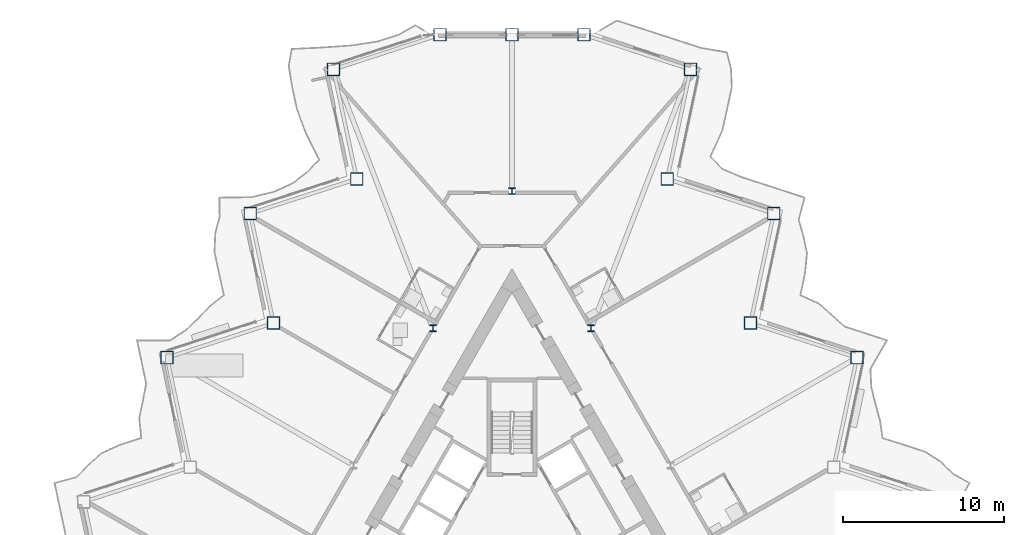
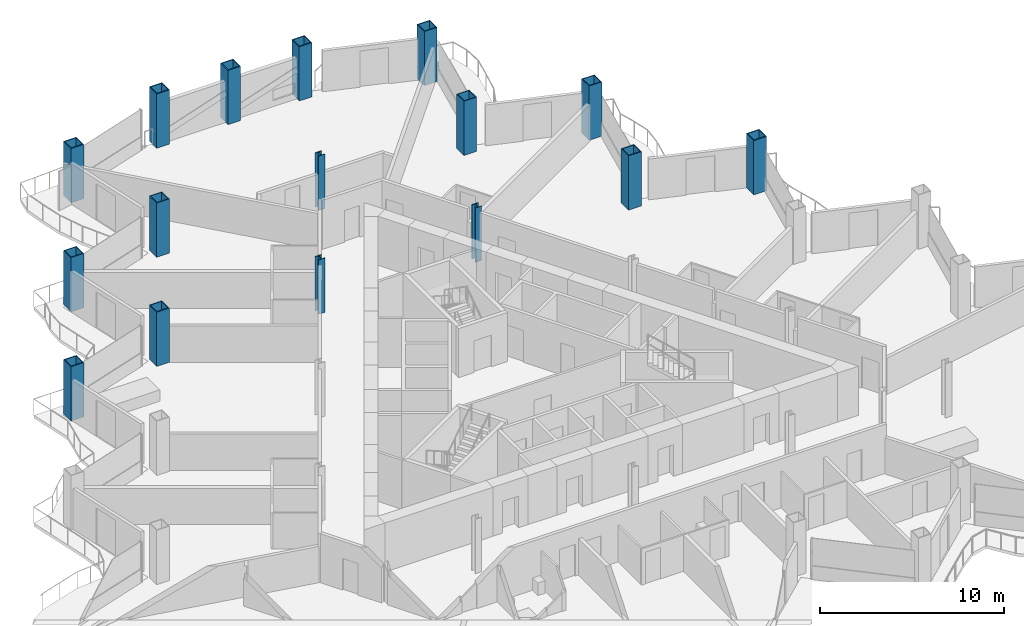
# One storey, part 2 of 23: 16 columns.
"""IFC4 building model written with IfcOpenShell, lengths in metres."""

import ifcopenshell
import ifcopenshell.guid

model = None  # the IFC model being written
_history = None  # IfcOwnerHistory: only IFC2X3 demands one
_inside = {}  # id of a spatial element -> (the spatial element, [elements in it])
_under = {}  # id of a project, library or spatial element -> (it, [spatial elements below it])
_declared = {}  # id of a project -> (the project, [libraries it declares])
_typed = {}  # id of a type object -> (the type object, [elements of that type])
_made_of = {}  # id of a material, layer set ... -> (it, [elements and type objects made of it])


def new_model(schema):
    """Start an empty IFC model of exactly this schema.

    Asked for "IFC4X3", IfcOpenShell would pick the latest addendum, in which some entities
    have other attributes; the version numbers below select the first issue.
    IFC2X3 requires an IfcOwnerHistory on every rooted entity: one is made here for all.
    """
    global model, _history
    if schema == "IFC4X3":
        model = ifcopenshell.file(schema_version=(4, 3, 0, 0))
    else:
        model = ifcopenshell.file(schema=schema)
    _inside.clear()
    _under.clear()
    _declared.clear()
    _typed.clear()
    _made_of.clear()
    _history = None
    if model.schema == "IFC2X3":
        org = make("IfcOrganization", Name="unknown")
        user = make(
            "IfcPersonAndOrganization",
            ThePerson=make("IfcPerson", FamilyName="unknown"),
            TheOrganization=org,
        )
        app = make(
            "IfcApplication",
            ApplicationDeveloper=org,
            Version="unknown",
            ApplicationFullName="unknown",
            ApplicationIdentifier="unknown",
        )
        _history = make(
            "IfcOwnerHistory",
            OwningUser=user,
            OwningApplication=app,
            ChangeAction="ADDED",
            CreationDate=0,
        )
    return model


def make(cls, **values):
    """One entity of the class cls with the attributes given. An attribute that is None is left unset."""
    return model.create_entity(
        cls, **{name: value for name, value in values.items() if value is not None}
    )


def rooted(cls, **values):
    """An entity with a GlobalId (a new one), such as an element, a storey or a relation."""
    return make(cls, GlobalId=ifcopenshell.guid.new(), OwnerHistory=_history, **values)


def si_unit(unit_type, name, prefix=None):
    """IfcSIUnit, for example si_unit("LENGTHUNIT", "METRE", prefix="MILLI")."""
    return make("IfcSIUnit", UnitType=unit_type, Prefix=prefix, Name=name)


def assignment(units):
    """IfcUnitAssignment: the units of a project."""
    return None if units is None else make("IfcUnitAssignment", Units=units)


def point(xyz):
    """IfcCartesianPoint."""
    return None if xyz is None else make("IfcCartesianPoint", Coordinates=xyz)


def direction(xyz):
    """IfcDirection."""
    return None if xyz is None else make("IfcDirection", DirectionRatios=xyz)


def frame(location, z_axis=None, x_axis=None):
    """IfcAxis2Placement3D, a coordinate frame: its origin and axes. An axis left out is left unset."""
    return make(
        "IfcAxis2Placement3D",
        Location=point(location),
        Axis=direction(z_axis),
        RefDirection=direction(x_axis),
    )


def frame_2d(location, x_axis=None):
    """IfcAxis2Placement2D, a coordinate frame in the plane: its origin and x axis."""
    return make(
        "IfcAxis2Placement2D", Location=point(location), RefDirection=direction(x_axis)
    )


def origin():
    """The frame at (0, 0, 0) with its axes left unset."""
    return frame((0.0, 0.0, 0.0))


def origin_2d():
    """The frame at (0, 0) in the plane with its x axis left unset."""
    return frame_2d((0.0, 0.0))


def place(relative_to, where):
    """IfcLocalPlacement: puts the frame where relative to a parent placement (None: the world)."""
    return make(
        "IfcLocalPlacement", PlacementRelTo=relative_to, RelativePlacement=where
    )


def context(
    kind, dimensions, precision=None, world=None, true_north=None, identifier=None
):
    """IfcGeometricRepresentationContext, for example the 3D "Model" context."""
    return make(
        "IfcGeometricRepresentationContext",
        ContextIdentifier=identifier,
        ContextType=kind,
        CoordinateSpaceDimension=dimensions,
        Precision=precision,
        WorldCoordinateSystem=world,
        TrueNorth=true_north,
    )


def subcontext(parent, identifier, kind, view, scale=None):
    """IfcGeometricRepresentationSubContext, for example "Body" below "Model"."""
    return make(
        "IfcGeometricRepresentationSubContext",
        ContextIdentifier=identifier,
        ContextType=kind,
        ParentContext=parent,
        TargetScale=scale,
        TargetView=view,
    )


def project(units=None, contexts=None):
    """IfcProject with its units and contexts."""
    return rooted(
        "IfcProject",
        Name="project",
        RepresentationContexts=contexts,
        UnitsInContext=assignment(units),
    )


def spatial(cls, under=None, at=None, **own):
    """A site, building, storey or space (cls), placed at a placement, below another one or the project."""
    s = rooted(cls, ObjectPlacement=at, **own)
    if under is not None:
        _under.setdefault(under.id(), (under, []))[1].append(s)
    return s


def profile(cls, at=None, kind="AREA", **sizes):
    """A parametric profile (cls). Its sizes go by their IFC names, for example OverallWidth=200.0."""
    return make(cls, ProfileType=kind, Position=at, **sizes)


def hollow_rectangle(**sizes):
    """IfcRectangleHollowProfileDef."""
    return profile("IfcRectangleHollowProfileDef", **sizes)


def i_section(**sizes):
    """IfcIShapeProfileDef."""
    return profile("IfcIShapeProfileDef", **sizes)


def extrude(swept, where, along, depth):
    """IfcExtrudedAreaSolid: the profile swept, set in the frame where, extruded along a direction by depth."""
    return make(
        "IfcExtrudedAreaSolid",
        SweptArea=swept,
        Position=where,
        ExtrudedDirection=direction(along),
        Depth=depth,
    )


def shape(context_of_items, identifier, shape_type, items):
    """IfcShapeRepresentation: the items that make up one representation, for example the "Body"."""
    return make(
        "IfcShapeRepresentation",
        ContextOfItems=context_of_items,
        RepresentationIdentifier=identifier,
        RepresentationType=shape_type,
        Items=items,
    )


def material(Name=None, Category=None):
    """IfcMaterial."""
    return make("IfcMaterial", Name=Name, Category=Category)


def material_profile(
    of_material, cross_section, Name=None, Category=None, Priority=None
):
    """IfcMaterialProfile: a cross section and its material."""
    return make(
        "IfcMaterialProfile",
        Name=Name,
        Material=of_material,
        Profile=cross_section,
        Priority=Priority,
        Category=Category,
    )


def profile_set(profiles, Name=None, composite=None):
    """IfcMaterialProfileSet."""
    return make(
        "IfcMaterialProfileSet",
        Name=Name,
        MaterialProfiles=profiles,
        CompositeProfile=composite,
    )


def made_of(thing, what):
    """Note that an element or type object is made of a material, layer set ...; save() writes the relation."""
    if what is not None:
        _made_of.setdefault(what.id(), (what, []))[1].append(thing)
    return thing


def type_object(cls, material=None, **own):
    """A type object (cls), such as IfcWallType, which elements share."""
    return made_of(rooted(cls, **own), material)


def element(
    cls,
    number,
    at=None,
    inside=None,
    cuts=None,
    type_object=None,
    material=None,
    context=None,
    identifier="Body",
    shape_type=None,
    held_by="IfcProductDefinitionShape",
    body=None,
    shapes=None,
    **own,
):
    """One element of the class cls, such as IfcWall. Its Tag is "e" and its number.

    at: its placement. inside: the storey or other place that contains it. cuts: it is an
    opening in that element (IfcRelVoidsElement). A single representation is given by context,
    identifier, shape_type and body (its items); several are given by shapes. held_by: the class
    of the entity that holds the representations. save() writes the other relations.
    """
    e = rooted(cls, Tag="e%d" % number, ObjectPlacement=at, **own)
    if body is not None:
        shapes = [shape(context, identifier, shape_type, body)]
    if shapes is not None:
        e.Representation = make(held_by, Representations=shapes)
    if inside is not None:
        _inside.setdefault(inside.id(), (inside, []))[1].append(e)
    if cuts is not None:
        rooted(
            "IfcRelVoidsElement", RelatingBuildingElement=cuts, RelatedOpeningElement=e
        )
    if type_object is not None:
        _typed.setdefault(type_object.id(), (type_object, []))[1].append(e)
    return made_of(e, material)


def aggregate(whole, parts):
    """IfcRelAggregates: a whole, such as a stair, and the parts it consists of."""
    return rooted("IfcRelAggregates", RelatingObject=whole, RelatedObjects=parts)


def save(model, path):
    """Write the relations noted so far, then the file.

    IfcRelAggregates (storeys below a building ...), IfcRelContainedInSpatialStructure (elements
    in a storey), IfcRelDefinesByType, IfcRelAssociatesMaterial and IfcRelDeclares: one each for
    every whole, place, type object, material and project.
    """
    for whole, parts in _under.values():
        aggregate(whole, parts)
    for where, things in _inside.values():
        rooted(
            "IfcRelContainedInSpatialStructure",
            RelatedElements=things,
            RelatingStructure=where,
        )
    for kind, things in _typed.values():
        rooted("IfcRelDefinesByType", RelatedObjects=things, RelatingType=kind)
    for what, things in _made_of.values():
        rooted("IfcRelAssociatesMaterial", RelatedObjects=things, RelatingMaterial=what)
    for by, libraries in _declared.values():
        rooted("IfcRelDeclares", RelatingContext=by, RelatedDefinitions=libraries)
    model.write(path)


model = new_model("IFC4")

# Units and contexts
model_context = context("Model", 3, precision=1e-05, world=origin(), true_north=direction((0.0, 1.0)))
body_context = subcontext(model_context, "Body", "Model", "MODEL_VIEW")
ifc_project = project(units=[si_unit("LENGTHUNIT", "METRE"), si_unit("AREAUNIT", "SQUARE_METRE"), si_unit("VOLUMEUNIT", "CUBIC_METRE"), si_unit("PLANEANGLEUNIT", "RADIAN"), si_unit("MASSUNIT", "GRAM", prefix="KILO")], contexts=[model_context])

# Site, building, storey
site_placement = place(None, origin())
site = spatial("IfcSite", under=ifc_project, at=site_placement, CompositionType="ELEMENT")
building_placement = place(site_placement, origin())
building = spatial("IfcBuilding", under=site, at=building_placement, Name="Cormorant Prow Tower", CompositionType="ELEMENT")
storey_placement = place(building_placement, frame((0.0, 0.0, 176.39990234375)))
storey = spatial("IfcBuildingStorey", under=building, at=storey_placement, Name="L37", CompositionType="ELEMENT", Elevation=176.39990234375)

# Columns
ifc_material_1 = material(Name="Structural steel ASTM A572 Gr 50", Category="steel")
ifc_material_profile_1 = material_profile(ifc_material_1, hollow_rectangle(XDim=0.800048828125, YDim=0.800048828125, WallThickness=0.050048828125, at=origin_2d()), Name="Box 800x800x50")
ifc_profile_set_1 = profile_set([ifc_material_profile_1], Name="Structural steel ASTM A572 Gr 50")
column_type_1 = type_object("IfcColumnType", Name="Perimeter box column 800x800x50", PredefinedType="COLUMN", material=ifc_profile_set_1)
for number, where, z_axis, x_axis, name in (
    (1, (21.409423828125, 12.36083984375, 0.0), (0.0, 0.0, 1.0), (1.0, 0.0, 0.0), "Perimeter column C4 at ENE05 L37"),
    (2, (14.7998046875, 14.50830078125, 0.0), (0.0, 0.0, 1.0), (1.0, 0.0, 0.0), "Perimeter column C4 at ENE06 L37"),
    (3, (16.244873046875, 21.306396484375, 0.0), (0.0, 0.0, 1.0), (1.0, 0.0, 0.0), "Perimeter column C4 at ENE07 L37"),
    (4, (9.63525390625, 23.453857421875, 0.0), (0.0, 0.0, 1.0), (1.0, 0.0, 0.0), "Perimeter column C4 at ENE08 L37"),
    (5, (11.080078125, 30.251953125, 0.0), (0.0, 0.0, 1.0), (1.0, 0.0, 0.0), "Perimeter column C4 at ENE09 L37"),
    (6, (4.470458984375, 32.3994140625, 0.0), (0.0, 0.0, 1.0), (1.0, 0.0, 0.0), "Perimeter column C4 at N00 L37"),
    (7, (0.0, 32.3994140625, 0.0), (0.0, 0.0, 1.0), (1.0, 0.0, 0.0), "Perimeter column C4 at N01 L37"),
    (8, (-4.470458984375, 32.3994140625, 0.0), (0.0, 0.0, 1.0), (1.0, 0.0, 0.0), "Perimeter column C4 at WNW00 L37"),
    (9, (-11.080078125, 30.251953125, 0.0), (0.0, 0.0, 1.0), (1.0, 0.0, 0.0), "Perimeter column C4 at WNW01 L37"),
    (10, (-9.63525390625, 23.453857421875, 0.0), (0.0, 0.0, 1.0), (1.0, 0.0, 0.0), "Perimeter column C4 at WNW02 L37"),
    (11, (-16.244873046875, 21.306396484375, 0.0), (0.0, 0.0, 1.0), (1.0, 0.0, 0.0), "Perimeter column C4 at WNW03 L37"),
    (12, (-14.7998046875, 14.50830078125, 0.0), (0.0, 0.0, 1.0), (1.0, 0.0, 0.0), "Perimeter column C4 at WNW04 L37"),
    (13, (-21.409423828125, 12.36083984375, 0.0), (0.0, 0.0, 1.0), (1.0, 0.0, 0.0), "Perimeter column C4 at WNW05 L37"),
):
    element("IfcColumn", number, at=place(storey_placement, frame(where, z_axis=z_axis, x_axis=x_axis)), inside=storey, type_object=column_type_1, Name=name, PredefinedType="COLUMN", context=body_context, shape_type="SweptSolid", body=[
        extrude(hollow_rectangle(XDim=0.800048828125, YDim=0.800048828125, WallThickness=0.050048828125, at=origin_2d()), origin(), (0.0, 0.0, 1.0), 3.60009765625),
    ])
ifc_material_2 = material(Name="Structural steel ASTM A992 Gr 50", Category="steel")
ifc_material_profile_2 = material_profile(ifc_material_2, i_section(OverallWidth=0.403564453125, OverallDepth=0.407470703125, WebThickness=0.027099609375, FlangeThickness=0.043701171875, at=origin_2d()), Name="W14x233")
ifc_profile_set_2 = profile_set([ifc_material_profile_2], Name="Structural steel ASTM A992 Gr 50")
column_type_2 = type_object("IfcColumnType", Name="Ring column W14x233", PredefinedType="COLUMN", material=ifc_profile_set_2)
for number, where, z_axis, x_axis, name in (
    (14, (0.0, 22.69775390625, 0.0), (0.0, 0.0, 1.0), (1.0, 0.0, 0.0), "Ring column 1 L37"),
    (15, (-4.914306640625, 14.186279296875, 0.0), (0.0, 0.0, 1.0), (1.0, 0.0, 0.0), "Ring column 2 L37"),
    (16, (4.914306640625, 14.186279296875, 0.0), (0.0, 0.0, 1.0), (1.0, 0.0, 0.0), "Ring column 12 L37"),
):
    element("IfcColumn", number, at=place(storey_placement, frame(where, z_axis=z_axis, x_axis=x_axis)), inside=storey, type_object=column_type_2, Name=name, PredefinedType="COLUMN", context=body_context, shape_type="SweptSolid", body=[
        extrude(i_section(OverallWidth=0.403564453125, OverallDepth=0.407470703125, WebThickness=0.027099609375, FlangeThickness=0.043701171875, at=origin_2d()), origin(), (0.0, 0.0, 1.0), 3.60009765625),
    ])

save(model, "model.ifc")
